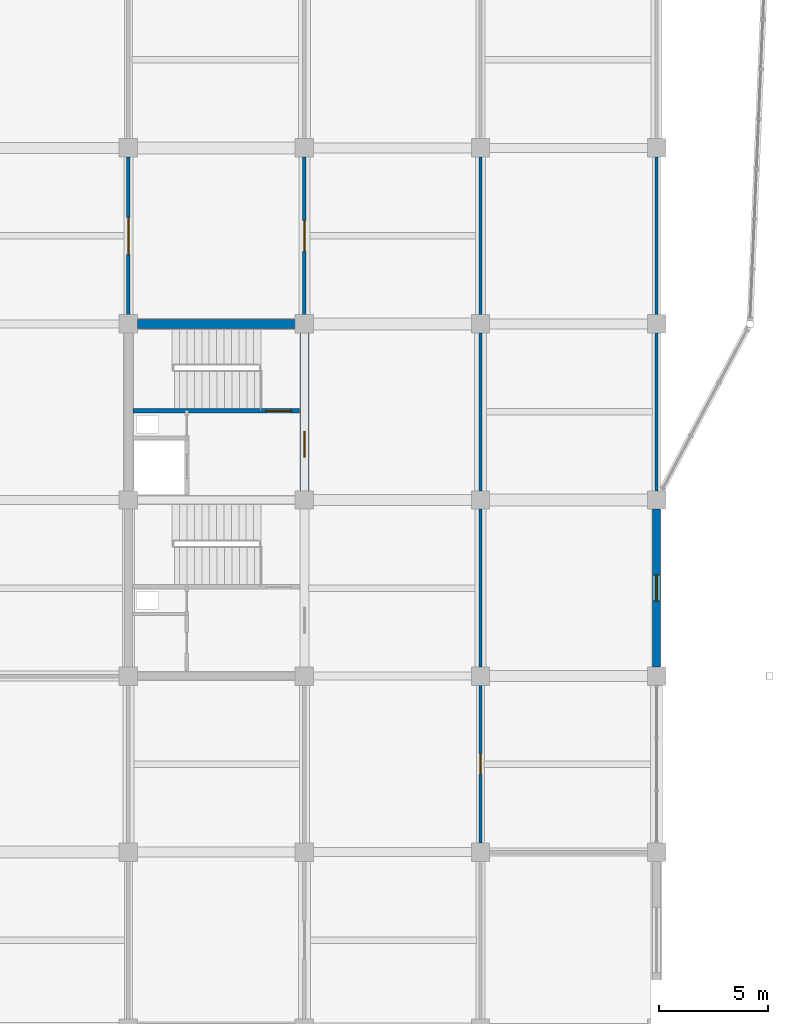
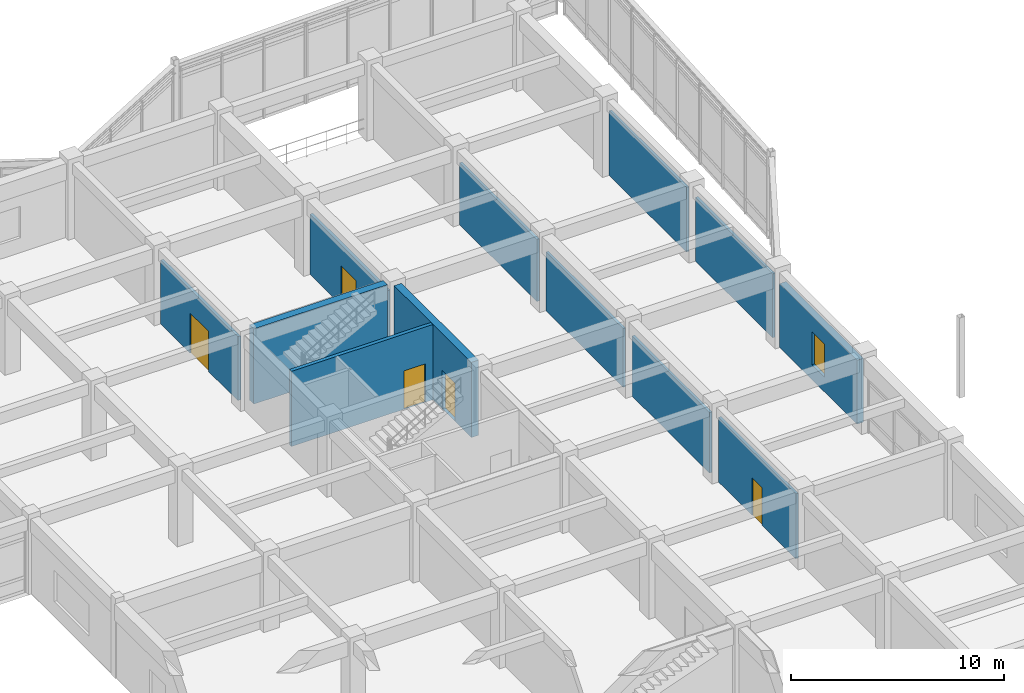
# One storey, part 72 of 93: 12 walls, 5 doors, 1 window, 6 openings.
"""IFC4 building model written with IfcOpenShell, lengths in metres."""

from ifc_helpers import new_model, si_unit, direction, frame, frame_2d, origin, place, context, subcontext, project, spatial, rectangle, extrude, material, layer, layer_set, type_object, element, fill, save


model = new_model("IFC4")

# Units and contexts
model_context = context("Model", 3, precision=1e-05, world=origin(), true_north=direction((0.0, 1.0)))
body_context = subcontext(model_context, "Body", "Model", "MODEL_VIEW")
ifc_project = project(units=[si_unit("LENGTHUNIT", "METRE"), si_unit("AREAUNIT", "SQUARE_METRE"), si_unit("VOLUMEUNIT", "CUBIC_METRE"), si_unit("PLANEANGLEUNIT", "RADIAN"), si_unit("MASSUNIT", "GRAM", prefix="KILO")], contexts=[model_context])

# Site, building, storey
site_placement = place(None, origin())
site = spatial("IfcSite", under=ifc_project, at=site_placement, CompositionType="ELEMENT")
building_placement = place(site_placement, origin())
building = spatial("IfcBuilding", under=site, at=building_placement, Name="Vaudrelin Polytechnic", CompositionType="ELEMENT")
storey_placement = place(building_placement, frame((0.0, 0.0, 5.10009765625)))
storey = spatial("IfcBuildingStorey", under=building, at=storey_placement, Name="L01", CompositionType="ELEMENT", Elevation=5.10009765625)

# Wall, opening, window
ifc_material_1 = material(Name="Precast concrete 35 MPa with terracotta baguette screen", Category="masonry")
ifc_layer_1 = layer(ifc_material_1, 0.35009765625)
ifc_layer_set_1 = layer_set([ifc_layer_1], Name="Precast concrete 35 MPa with terracotta baguette screen")
wall_type_1 = type_object("IfcWallType", Name="WAL-EW-TERR350", PredefinedType="STANDARD", material=ifc_layer_set_1)
wall_1_placement = place(storey_placement, frame((170.10009765625, 89.52294921875, 0.0), z_axis=(0.0, 0.0, 1.0), x_axis=(0.0, 1.0, 0.0)))
wall_1 = element("IfcWall", 1, at=wall_1_placement, inside=storey, type_object=wall_type_1, Name="Exterior wall L01 E_V4_09", PredefinedType="STANDARD", context=body_context, shape_type="SweptSolid", body=[
    extrude(rectangle(XDim=7.254150390625, YDim=0.35009765625, at=frame_2d((3.626953125, 0.0))), origin(), (0.0, 0.0, 1.0), 3.661865234375),
])
opening_1_placement = place(wall_1_placement, frame((3.027099609375, 0.0, 0.85009765625)))
opening_1 = element("IfcOpeningElement", 2, at=opening_1_placement, cuts=wall_1, Name="Opening W-L01-E-V4-10", PredefinedType="OPENING", context=body_context, shape_type="SweptSolid", body=[
    extrude(rectangle(XDim=1.199951171875, YDim=1.89990234375, at=frame_2d((0.60009765625, 0.949951171875))), frame((0.0, 0.18505859375, 0.0), z_axis=(0.0, -1.0, 0.0), x_axis=(1.0, 0.0, 0.0)), (0.0, 0.0, 1.0), 0.3701171875),
])
ifc_material_2 = material(Name="Thermally broken aluminium frame with triple low-e glazing", Category="aluminium")
window_type = type_object("IfcWindowType", Name="WIN-WN-04", PartitioningType="SINGLE_PANEL", PredefinedType="WINDOW", material=ifc_material_2)
window_placement = place(opening_1_placement, origin())
window = element("IfcWindow", 3, at=window_placement, inside=storey, type_object=window_type, Name="Facade window L01-E_V4_09", OverallHeight=1.89990234375, OverallWidth=1.199951171875, PartitioningType="SINGLE_PANEL", PredefinedType="WINDOW", context=body_context, shape_type="SweptSolid", body=[
    extrude(rectangle(XDim=1.199951171875, YDim=1.89990234375, at=frame_2d((0.60009765625, 0.949951171875))), frame((0.0, 0.030029296875, 0.0), z_axis=(0.0, -1.0, 0.0), x_axis=(1.0, 0.0, 0.0)), (0.0, 0.0, 1.0), 0.06005859375),
])
fill(opening_1, window)

# Wall, opening, door
ifc_material_3 = material(Name="Moisture- and chemical-resistant laboratory partition", Category="gypsum")
ifc_layer_2 = layer(ifc_material_3, 0.159912109375)
ifc_layer_set_2 = layer_set([ifc_layer_2], Name="Moisture- and chemical-resistant laboratory partition")
wall_type_2 = type_object("IfcWallType", Name="WAL-PW-LAB160", PredefinedType="PARTITIONING", material=ifc_layer_set_2)
wall_2_placement = place(storey_placement, frame((145.800048828125, 105.722900390625, 0.0), z_axis=(0.0, 0.0, 1.0), x_axis=(0.0, 1.0, 0.0)))
wall_2 = element("IfcWall", 4, at=wall_2_placement, inside=storey, type_object=wall_type_2, Name="Partition L01-025 E", PredefinedType="PARTITIONING", context=body_context, shape_type="SweptSolid", body=[
    extrude(rectangle(XDim=7.254150390625, YDim=0.159912109375, at=frame_2d((3.626953125, 0.0))), origin(), (0.0, 0.0, 1.0), 3.661865234375),
])
opening_2_placement = place(wall_2_placement, frame((2.76708984375, 0.0, 0.0)))
opening_2 = element("IfcOpeningElement", 5, at=opening_2_placement, cuts=wall_2, Name="Opening D-L01-461", PredefinedType="OPENING", context=body_context, shape_type="SweptSolid", body=[
    extrude(rectangle(XDim=1.719970703125, YDim=2.300048828125, at=frame_2d((0.85986328125, 1.14990234375))), frame((0.0, 0.08984375, 0.0), z_axis=(0.0, -1.0, 0.0), x_axis=(1.0, 0.0, 0.0)), (0.0, 0.0, 1.0), 0.179931640625),
])
ifc_material_4 = material(Name="Pressed galvanised steel acoustic leaf", Category="steel")
door_type_1 = type_object("IfcDoorType", Name="DOR-ID-LAB5", OperationType="NOTDEFINED", PredefinedType="DOOR", material=ifc_material_4)
door_1_placement = place(opening_2_placement, origin())
door_1 = element("IfcDoor", 6, at=door_1_placement, inside=storey, type_object=door_type_1, Name="Acoustics and Vibration Laboratory door L01-025", OperationType="DOUBLE_SWING_LEFT", OverallHeight=2.300048828125, OverallWidth=1.719970703125, PredefinedType="DOOR", context=body_context, shape_type="SweptSolid", body=[
    extrude(rectangle(XDim=1.719970703125, YDim=2.300048828125, at=frame_2d((0.85986328125, 1.14990234375))), frame((0.0, 0.02490234375, 0.0), z_axis=(0.0, -1.0, 0.0), x_axis=(1.0, 0.0, 0.0)), (0.0, 0.0, 1.0), 0.050048828125),
])
fill(opening_2, door_1)

wall_3_placement = place(storey_placement, frame((153.89990234375, 105.722900390625, 0.0), z_axis=(0.0, 0.0, 1.0), x_axis=(0.0, 1.0, 0.0)))
wall_3 = element("IfcWall", 7, at=wall_3_placement, inside=storey, type_object=wall_type_2, Name="Partition L01-026 E", PredefinedType="PARTITIONING", context=body_context, shape_type="SweptSolid", body=[
    extrude(rectangle(XDim=7.254150390625, YDim=0.159912109375, at=frame_2d((3.626953125, 0.0))), origin(), (0.0, 0.0, 1.0), 3.4619140625),
])
opening_3_placement = place(wall_3_placement, frame((2.9169921875, 0.0, 0.0)))
opening_3 = element("IfcOpeningElement", 8, at=opening_3_placement, cuts=wall_3, Name="Opening D-L01-462", PredefinedType="OPENING", context=body_context, shape_type="SweptSolid", body=[
    extrude(rectangle(XDim=1.419921875, YDim=2.25, at=frame_2d((0.7099609375, 1.125))), frame((0.0, 0.08984375, 0.0), z_axis=(0.0, -1.0, 0.0), x_axis=(1.0, 0.0, 0.0)), (0.0, 0.0, 1.0), 0.179931640625),
])
door_type_2 = type_object("IfcDoorType", Name="DOR-ID-LAB4", OperationType="NOTDEFINED", PredefinedType="DOOR", material=ifc_material_4)
door_2_placement = place(opening_3_placement, origin())
door_2 = element("IfcDoor", 9, at=door_2_placement, inside=storey, type_object=door_type_2, Name="Anechoic Chamber Control Laboratory door L01-026", OperationType="DOUBLE_SWING_LEFT", OverallHeight=2.25, OverallWidth=1.419921875, PredefinedType="DOOR", context=body_context, shape_type="SweptSolid", body=[
    extrude(rectangle(XDim=1.419921875, YDim=2.25, at=frame_2d((0.7099609375, 1.125))), frame((0.0, 0.02490234375, 0.0), z_axis=(0.0, -1.0, 0.0), x_axis=(1.0, 0.0, 0.0)), (0.0, 0.0, 1.0), 0.050048828125),
])
fill(opening_3, door_2)

ifc_material_5 = material(Name="Acoustic steel-stud office & study room partition", Category="steel")
ifc_layer_3 = layer(ifc_material_5, 0.135009765625)
ifc_layer_set_3 = layer_set([ifc_layer_3], Name="Acoustic steel-stud office & study room partition")
wall_type_3 = type_object("IfcWallType", Name="WAL-PW-OFF135", PredefinedType="PARTITIONING", material=ifc_layer_set_3)
wall_4_placement = place(storey_placement, frame((162.0, 81.423095703125, 0.0), z_axis=(0.0, 0.0, 1.0), x_axis=(0.0, 1.0, 0.0)))
wall_4 = element("IfcWall", 10, at=wall_4_placement, inside=storey, type_object=wall_type_3, Name="Partition L01-030 W", PredefinedType="PARTITIONING", context=body_context, shape_type="SweptSolid", body=[
    extrude(rectangle(XDim=7.25390625, YDim=0.135009765625, at=frame_2d((3.626953125, 0.0))), origin(), (0.0, 0.0, 1.0), 3.7119140625),
])
opening_4_placement = place(wall_4_placement, frame((3.152099609375, 0.0, 0.0)))
opening_4 = element("IfcOpeningElement", 11, at=opening_4_placement, cuts=wall_4, Name="Opening D-L01-465", PredefinedType="OPENING", context=body_context, shape_type="SweptSolid", body=[
    extrude(rectangle(XDim=0.949951171875, YDim=2.14990234375, at=frame_2d((0.47509765625, 1.074951171875))), frame((0.0, 0.07763671875, 0.0), z_axis=(0.0, -1.0, 0.0), x_axis=(1.0, 0.0, 0.0)), (0.0, 0.0, 1.0), 0.155029296875),
])
ifc_material_6 = material(Name="Solid-core birch veneer acoustic leaf", Category="wood")
door_type_3 = type_object("IfcDoorType", Name="DOR-ID-OFF1", OperationType="NOTDEFINED", PredefinedType="DOOR", material=ifc_material_6)
door_3_placement = place(opening_4_placement, origin())
door_3 = element("IfcDoor", 12, at=door_3_placement, inside=storey, type_object=door_type_3, Name="Academic Faculty Offices South door L01-030", OperationType="SINGLE_SWING_RIGHT", OverallHeight=2.14990234375, OverallWidth=0.949951171875, PredefinedType="DOOR", context=body_context, shape_type="SweptSolid", body=[
    extrude(rectangle(XDim=0.949951171875, YDim=2.14990234375, at=frame_2d((0.47509765625, 1.074951171875))), frame((0.0, 0.02490234375, 0.0), z_axis=(0.0, -1.0, 0.0), x_axis=(1.0, 0.0, 0.0)), (0.0, 0.0, 1.0), 0.050048828125),
])
fill(opening_4, door_3)

# Walls
wall_5_placement = place(storey_placement, frame((162.0, 89.52294921875, 0.0), z_axis=(0.0, 0.0, 1.0), x_axis=(0.0, 1.0, 0.0)))
element("IfcWall", 13, at=wall_5_placement, inside=storey, type_object=wall_type_3, Name="Partition L01-030 W", PredefinedType="PARTITIONING", context=body_context, shape_type="SweptSolid", body=[
    extrude(rectangle(XDim=7.254150390625, YDim=0.135009765625, at=frame_2d((3.626953125, 0.0))), origin(), (0.0, 0.0, 1.0), 3.4619140625),
])
wall_6_placement = place(storey_placement, frame((162.0, 97.623046875, 0.0), z_axis=(0.0, 0.0, 1.0), x_axis=(0.0, 1.0, 0.0)))
element("IfcWall", 14, at=wall_6_placement, inside=storey, type_object=wall_type_3, Name="Partition L01-030 W", PredefinedType="PARTITIONING", context=body_context, shape_type="SweptSolid", body=[
    extrude(rectangle(XDim=7.25390625, YDim=0.135009765625, at=frame_2d((3.626953125, 0.0))), origin(), (0.0, 0.0, 1.0), 3.36181640625),
])
wall_7_placement = place(storey_placement, frame((162.0, 105.722900390625, 0.0), z_axis=(0.0, 0.0, 1.0), x_axis=(0.0, 1.0, 0.0)))
element("IfcWall", 15, at=wall_7_placement, inside=storey, type_object=wall_type_3, Name="Partition L01-030 W", PredefinedType="PARTITIONING", context=body_context, shape_type="SweptSolid", body=[
    extrude(rectangle(XDim=7.254150390625, YDim=0.135009765625, at=frame_2d((3.626953125, 0.0))), origin(), (0.0, 0.0, 1.0), 3.56201171875),
])
wall_8_placement = place(storey_placement, frame((170.10009765625, 97.623046875, 0.0), z_axis=(0.0, 0.0, 1.0), x_axis=(0.0, 1.0, 0.0)))
element("IfcWall", 16, at=wall_8_placement, inside=storey, type_object=wall_type_3, Name="Partition L01-030 E", PredefinedType="PARTITIONING", context=body_context, shape_type="SweptSolid", body=[
    extrude(rectangle(XDim=7.25390625, YDim=0.135009765625, at=frame_2d((3.626953125, 0.0))), origin(), (0.0, 0.0, 1.0), 3.661865234375),
])
wall_9_placement = place(storey_placement, frame((170.10009765625, 105.722900390625, 0.0), z_axis=(0.0, 0.0, 1.0), x_axis=(0.0, 1.0, 0.0)))
element("IfcWall", 17, at=wall_9_placement, inside=storey, type_object=wall_type_3, Name="Partition L01-030 E", PredefinedType="PARTITIONING", context=body_context, shape_type="SweptSolid", body=[
    extrude(rectangle(XDim=7.254150390625, YDim=0.135009765625, at=frame_2d((3.626953125, 0.0))), origin(), (0.0, 0.0, 1.0), 3.7119140625),
])

# Wall, opening, door
ifc_material_7 = material(Name="Concrete 40 MPa", Category="concrete")
ifc_layer_4 = layer(ifc_material_7, 0.199951171875)
ifc_layer_set_4 = layer_set([ifc_layer_4], Name="Concrete 40 MPa")
wall_type_4 = type_object("IfcWallType", Name="WAL-SW-CORE200", PredefinedType="SHEAR", material=ifc_layer_set_4)
wall_10_placement = place(storey_placement, frame((146.02001953125, 101.31005859375, 0.0), z_axis=(0.0, 0.0, 1.0), x_axis=(1.0, 0.0, 0.0)))
wall_10 = element("IfcWall", 18, at=wall_10_placement, inside=storey, type_object=wall_type_4, Name="Core C6 stair enclosure wall L01", PredefinedType="SHEAR", context=body_context, shape_type="SweptSolid", body=[
    extrude(rectangle(XDim=7.659912109375, YDim=0.199951171875, at=frame_2d((3.830078125, 0.0))), origin(), (0.0, 0.0, 1.0), 4.31201171875),
])
opening_5_placement = place(wall_10_placement, frame((6.110107421875, 0.0, 0.0)))
opening_5 = element("IfcOpeningElement", 19, at=opening_5_placement, cuts=wall_10, Name="Opening D-L01-091", PredefinedType="OPENING", context=body_context, shape_type="SweptSolid", body=[
    extrude(rectangle(XDim=1.14990234375, YDim=2.199951171875, at=frame_2d((0.574951171875, 1.10009765625))), frame((0.0, 0.10986328125, 0.0), z_axis=(0.0, -1.0, 0.0), x_axis=(1.0, 0.0, 0.0)), (0.0, 0.0, 1.0), 0.219970703125),
])
door_type_4 = type_object("IfcDoorType", Name="DOR-ID-ST1", OperationType="NOTDEFINED", PredefinedType="DOOR", material=ifc_material_4)
door_4_placement = place(opening_5_placement, origin())
door_4 = element("IfcDoor", 20, at=door_4_placement, inside=storey, type_object=door_type_4, Name="Core C6 exit stair door L01", OperationType="SINGLE_SWING_LEFT", OverallHeight=2.199951171875, OverallWidth=1.14990234375, PredefinedType="DOOR", context=body_context, shape_type="SweptSolid", body=[
    extrude(rectangle(XDim=1.14990234375, YDim=2.199951171875, at=frame_2d((0.574951171875, 1.10009765625))), frame((0.0, 0.02490234375, 0.0), z_axis=(0.0, -1.0, 0.0), x_axis=(1.0, 0.0, 0.0)), (0.0, 0.0, 1.0), 0.050048828125),
])
fill(opening_5, door_4)

# Wall
ifc_material_8 = material(Name="Concrete 50 MPa", Category="concrete")
ifc_layer_5 = layer(ifc_material_8, 0.39990234375)
ifc_layer_set_5 = layer_set([ifc_layer_5], Name="Concrete 50 MPa")
wall_type_5 = type_object("IfcWallType", Name="WAL-SW-CORE400", PredefinedType="SHEAR", material=ifc_layer_set_5)
wall_11_placement = place(storey_placement, frame((146.222900390625, 105.300048828125, 0.0), z_axis=(0.0, 0.0, 1.0), x_axis=(1.0, 0.0, 0.0)))
element("IfcWall", 21, at=wall_11_placement, inside=storey, type_object=wall_type_5, Name="Core C6 N shear wall L01", PredefinedType="SHEAR", context=body_context, shape_type="SweptSolid", body=[
    extrude(rectangle(XDim=7.254150390625, YDim=0.39990234375, at=frame_2d((3.626953125, 0.0))), origin(), (0.0, 0.0, 1.0), 4.31201171875),
])

# Wall, opening, door
wall_12_placement = place(storey_placement, frame((153.89990234375, 97.623046875, 0.0), z_axis=(0.0, 0.0, 1.0), x_axis=(0.0, 1.0, 0.0)))
wall_12 = element("IfcWall", 22, at=wall_12_placement, inside=storey, type_object=wall_type_5, Name="Core C6 E shear wall L01", PredefinedType="SHEAR", context=body_context, shape_type="SweptSolid", body=[
    extrude(rectangle(XDim=7.25390625, YDim=0.39990234375, at=frame_2d((3.626953125, 0.0))), origin(), (0.0, 0.0, 1.0), 4.31201171875),
])
opening_6_placement = place(wall_12_placement, frame((1.550048828125, 0.0, 0.0)))
opening_6 = element("IfcOpeningElement", 23, at=opening_6_placement, cuts=wall_12, Name="Opening D-L01-090", PredefinedType="OPENING", context=body_context, shape_type="SweptSolid", body=[
    extrude(rectangle(XDim=1.199951171875, YDim=2.199951171875, at=frame_2d((0.60009765625, 1.10009765625))), frame((0.0, 0.2099609375, 0.0), z_axis=(0.0, -1.0, 0.0), x_axis=(1.0, 0.0, 0.0)), (0.0, 0.0, 1.0), 0.419921875),
])
door_type_5 = type_object("IfcDoorType", Name="DOR-ID-LB1", OperationType="NOTDEFINED", PredefinedType="DOOR", material=ifc_material_4)
door_5_placement = place(opening_6_placement, origin())
door_5 = element("IfcDoor", 24, at=door_5_placement, inside=storey, type_object=door_type_5, Name="Core C6 lobby fire door L01", OperationType="SINGLE_SWING_RIGHT", OverallHeight=2.199951171875, OverallWidth=1.199951171875, PredefinedType="DOOR", context=body_context, shape_type="SweptSolid", body=[
    extrude(rectangle(XDim=1.199951171875, YDim=2.199951171875, at=frame_2d((0.60009765625, 1.10009765625))), frame((0.0, 0.02490234375, 0.0), z_axis=(0.0, -1.0, 0.0), x_axis=(1.0, 0.0, 0.0)), (0.0, 0.0, 1.0), 0.050048828125),
])
fill(opening_6, door_5)

save(model, "model.ifc")
